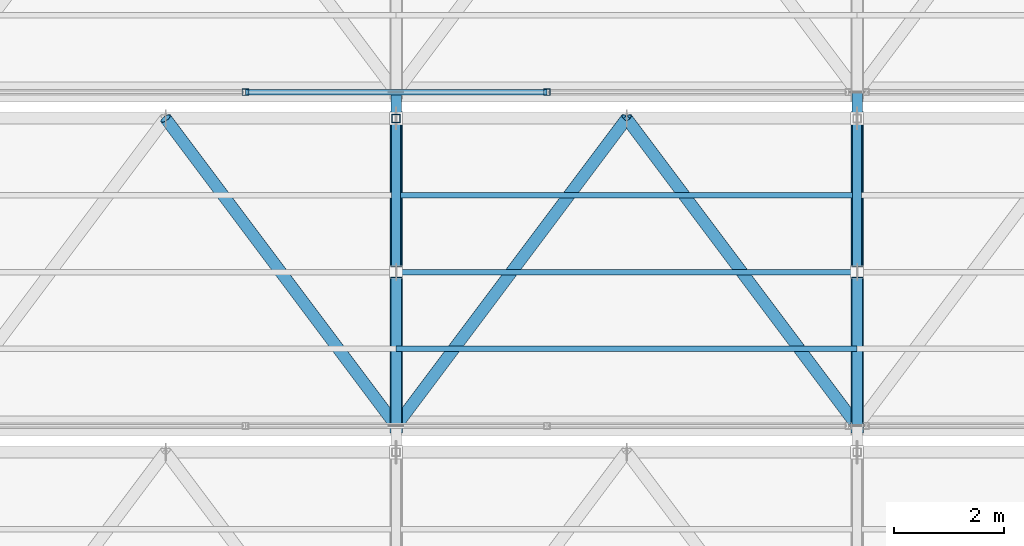
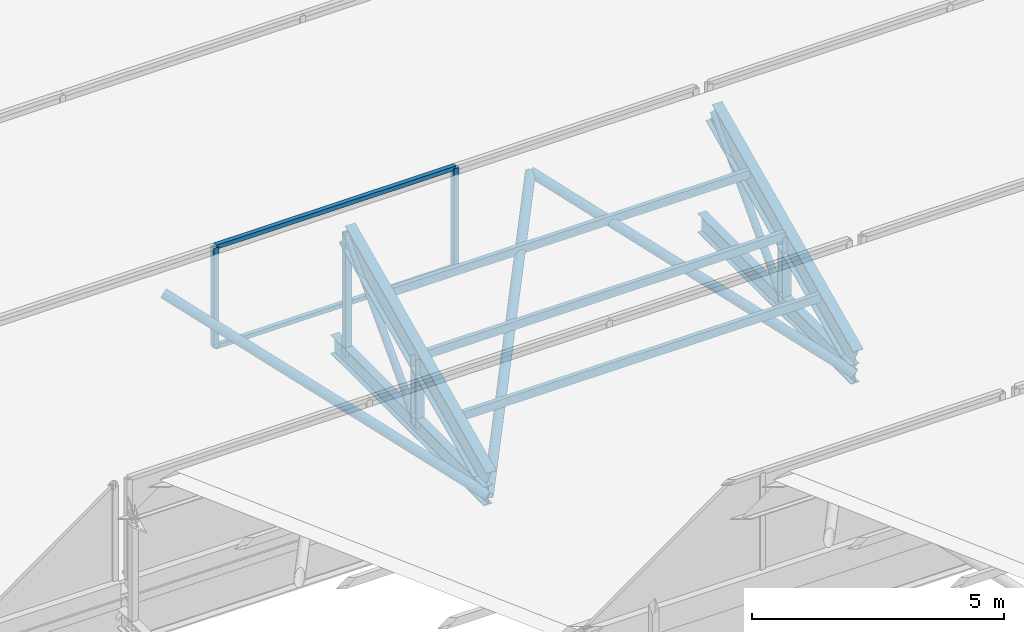
# One storey, part 119 of 217: 19 members, 1 element without a shape of its own.
"""IFC4 building model written with IfcOpenShell, lengths in metres."""

from ifc_helpers import new_model, si_unit, direction, frame, origin, origin_2d, place, context, subcontext, project, spatial, hollow_rectangle, hollow_circle, i_section, extrude, material, material_profile, profile_set, type_object, element, aggregate, save


model = new_model("IFC4")

# Units and contexts
model_context = context("Model", 3, precision=1e-05, world=origin(), true_north=direction((0.0, 1.0)))
body_context = subcontext(model_context, "Body", "Model", "MODEL_VIEW")
ifc_project = project(units=[si_unit("LENGTHUNIT", "METRE"), si_unit("AREAUNIT", "SQUARE_METRE"), si_unit("VOLUMEUNIT", "CUBIC_METRE"), si_unit("PLANEANGLEUNIT", "RADIAN"), si_unit("MASSUNIT", "GRAM", prefix="KILO")], contexts=[model_context])

# Site, building, storey
site_placement = place(None, origin())
site = spatial("IfcSite", under=ifc_project, at=site_placement, CompositionType="ELEMENT")
building_placement = place(site_placement, origin())
building = spatial("IfcBuilding", under=site, at=building_placement, Name="Zuvorla Pavilion Media Centre", CompositionType="ELEMENT")
storey_placement = place(building_placement, frame((0.0, 0.0, 9.60009765625)))
storey = spatial("IfcBuildingStorey", under=building, at=storey_placement, Name="L02", CompositionType="ELEMENT", Elevation=9.60009765625)

# Curtain wall, members
ifc_material_1 = material(Name="Unitised anodised aluminium and solar glass curtain wall", Category="aluminium")
curtain_wall_type = type_object("IfcCurtainWallType", Name="CW-SYS-88", PredefinedType="USERDEFINED", material=ifc_material_1)
curtain_wall_placement = place(storey_placement, origin())
curtain_wall = element("IfcCurtainWall", 1, at=curtain_wall_placement, inside=storey, type_object=curtain_wall_type, Name="L02 curtain wall CW88 210", ObjectType="CURTAIN WALL", PredefinedType="USERDEFINED")
ifc_material_2 = material(Name="Anodised aluminium 6063-T6", Category="aluminium")
ifc_material_profile_1 = material_profile(ifc_material_2, hollow_rectangle(XDim=0.1201171875, YDim=0.1201171875, WallThickness=0.0048828125, at=origin_2d()), Name="ALU MULL 120x120")
ifc_profile_set_1 = profile_set([ifc_material_profile_1], Name="Anodised aluminium 6063-T6")
member_type_1 = type_object("IfcMemberType", Name="CW-MULL-120", PredefinedType="MULLION", material=ifc_profile_set_1)
member_1_placement = place(storey_placement, frame((106.05322265625, 107.840087890625, 0.0), z_axis=(0.0, 0.0, 1.0), x_axis=(1.0, 0.0, 0.0)))
member_1 = element("IfcMember", 2, at=member_1_placement, type_object=member_type_1, Name="CW88 mullion 2", PredefinedType="MULLION", context=body_context, shape_type="SweptSolid", body=[
    extrude(hollow_rectangle(XDim=0.1201171875, YDim=0.1201171875, WallThickness=0.0048828125, at=origin_2d()), origin(), (0.0, 0.0, 1.0), 2.419921875),
])
member_2_placement = place(storey_placement, frame((111.546630859375, 107.840087890625, 0.0), z_axis=(0.0, 0.0, 1.0), x_axis=(1.0, 0.0, 0.0)))
member_2 = element("IfcMember", 3, at=member_2_placement, type_object=member_type_1, Name="CW88 mullion 3", PredefinedType="MULLION", context=body_context, shape_type="SweptSolid", body=[
    extrude(hollow_rectangle(XDim=0.1201171875, YDim=0.1201171875, WallThickness=0.0048828125, at=origin_2d()), origin(), (0.0, 0.0, 1.0), 2.419921875),
])
ifc_material_profile_2 = material_profile(ifc_material_2, hollow_rectangle(XDim=0.10009765625, YDim=0.10009765625, WallThickness=0.00439453125, at=origin_2d()), Name="ALU TRAN 100x100")
ifc_profile_set_2 = profile_set([ifc_material_profile_2], Name="Anodised aluminium 6063-T6")
member_type_2 = type_object("IfcMemberType", Name="CW-TRAN-100", PredefinedType="USERDEFINED", material=ifc_profile_set_2)
member_3_placement = place(storey_placement, frame((106.05322265625, 107.840087890625, 0.0), z_axis=(1.0, 0.0, 0.0), x_axis=(0.0, 1.0, 0.0)))
member_3 = element("IfcMember", 4, at=member_3_placement, type_object=member_type_2, Name="CW88 transom 2.1", ObjectType="TRANSOM", PredefinedType="USERDEFINED", context=body_context, shape_type="SweptSolid", body=[
    extrude(hollow_rectangle(XDim=0.10009765625, YDim=0.10009765625, WallThickness=0.00439453125, at=origin_2d()), origin(), (0.0, 0.0, 1.0), 5.493408203125),
])
member_4_placement = place(storey_placement, frame((106.05322265625, 107.840087890625, 2.419921875), z_axis=(1.0, 0.0, 0.0), x_axis=(0.0, 1.0, 0.0)))
member_4 = element("IfcMember", 5, at=member_4_placement, type_object=member_type_2, Name="CW88 transom 2.2", ObjectType="TRANSOM", PredefinedType="USERDEFINED", context=body_context, shape_type="SweptSolid", body=[
    extrude(hollow_rectangle(XDim=0.10009765625, YDim=0.10009765625, WallThickness=0.00439453125, at=origin_2d()), origin(), (0.0, 0.0, 1.0), 5.493408203125),
])
aggregate(curtain_wall, [member_1, member_2, member_3, member_4])

# Members
ifc_material_3 = material(Name="Steel S355", Category="steel")
ifc_material_profile_3 = material_profile(ifc_material_3, hollow_circle(Radius=0.084228515625, WallThickness=0.008056640625, at=origin_2d()), Name="CHS 168.3x8")
ifc_profile_set_3 = profile_set([ifc_material_profile_3], Name="Steel S355")
member_type_3 = type_object("IfcMemberType", Name="MEM-BRC-CHS168", PredefinedType="BRACE", material=ifc_profile_set_3)
for number, where, z_axis, x_axis, name in (
    (6, (108.800048828125, 104.56005859375, -0.880126953125), (0.0, 0.68676242614, 0.726881950555), (-1.0, 0.0, 0.0), "L02 diagonal brace TB03 247"),
    (7, (117.199951171875, 104.56005859375, -0.880126953125), (0.0, 0.68676242614, 0.726881950555), (-1.0, 0.0, 0.0), "L02 diagonal brace TB03 252"),
):
    element("IfcMember", number, at=place(storey_placement, frame(where, z_axis=z_axis, x_axis=x_axis)), inside=storey, type_object=member_type_3, Name=name, PredefinedType="BRACE", context=body_context, shape_type="SweptSolid", body=[
        extrude(hollow_circle(Radius=0.084228515625, WallThickness=0.008056640625, at=origin_2d()), origin(), (0.0, 0.0, 1.0), 4.0771484375),
    ])
ifc_material_profile_4 = material_profile(ifc_material_3, hollow_circle(Radius=0.109619140625, WallThickness=0.010009765625, at=origin_2d()), Name="CHS 219.1x10")
ifc_profile_set_4 = profile_set([ifc_material_profile_4], Name="Steel S355")
member_type_4 = type_object("IfcMemberType", Name="MEM-BRC-CHS219", PredefinedType="BRACE", material=ifc_profile_set_4)
for number, where, z_axis, x_axis, name in (
    (8, (104.60009765625, 107.360107421875, 2.08349609375), (0.552511596944, -0.736703540702, -0.389870271191), (0.800008370399, 0.599988839305, 0.0), "L02 diagonal brace TB02 290"),
    (9, (108.800048828125, 101.760009765625, -0.880126953125), (0.552511596944, 0.736703540702, 0.389870271191), (-0.800008370399, 0.599988839305, 0.0), "L02 diagonal brace TB02 295"),
    (10, (113.0, 107.360107421875, 2.08349609375), (0.552511596944, -0.736703540702, -0.389870271191), (0.800008370399, 0.599988839305, 0.0), "L02 diagonal brace TB02 296"),
):
    element("IfcMember", number, at=place(storey_placement, frame(where, z_axis=z_axis, x_axis=x_axis)), inside=storey, type_object=member_type_4, Name=name, PredefinedType="BRACE", context=body_context, shape_type="SweptSolid", body=[
        extrude(hollow_circle(Radius=0.109619140625, WallThickness=0.010009765625, at=origin_2d()), origin(), (0.0, 0.0, 1.0), 7.6015625),
    ])
ifc_material_profile_5 = material_profile(ifc_material_3, i_section(OverallWidth=0.19140625, OverallDepth=0.4599609375, WebThickness=0.010009765625, FlangeThickness=0.01611328125, FilletRadius=0.01025390625, at=origin_2d()), Name="UB 457x191x82")
ifc_profile_set_5 = profile_set([ifc_material_profile_5], Name="Steel S355")
member_type_5 = type_object("IfcMemberType", Name="MEM-CHD-UB457", PredefinedType="CHORD", material=ifc_profile_set_5)
for number, where, z_axis, x_axis, name in (
    (11, (108.800048828125, 101.760009765625, -0.880126953125), (0.0, 1.0, 0.0), (-1.0, 0.0, 0.0), "L02 chord TC03 244"),
    (12, (117.199951171875, 101.760009765625, -0.880126953125), (0.0, 1.0, 0.0), (-1.0, 0.0, 0.0), "L02 chord TC03 249"),
):
    element("IfcMember", number, at=place(storey_placement, frame(where, z_axis=z_axis, x_axis=x_axis)), inside=storey, type_object=member_type_5, Name=name, PredefinedType="CHORD", context=body_context, shape_type="SweptSolid", body=[
        extrude(i_section(OverallWidth=0.19140625, OverallDepth=0.4599609375, WebThickness=0.010009765625, FlangeThickness=0.01611328125, FilletRadius=0.01025390625, at=origin_2d()), origin(), (0.0, 0.0, 1.0), 6.080078125),
    ])
ifc_material_profile_6 = material_profile(ifc_material_3, i_section(OverallWidth=0.22900390625, OverallDepth=0.6123046875, WebThickness=0.011962890625, FlangeThickness=0.01953125, FilletRadius=0.0126953125, at=origin_2d()), Name="UB 610x229x125")
ifc_profile_set_6 = profile_set([ifc_material_profile_6], Name="Steel S355")
member_type_6 = type_object("IfcMemberType", Name="MEM-CHD-UB610", PredefinedType="CHORD", material=ifc_profile_set_6)
for number, where, z_axis, x_axis, name in (
    (13, (108.800048828125, 101.760009765625, -0.5166015625), (0.0, 0.907005731366, 0.421118277053), (-1.0, 0.0, 0.0), "L02 chord TC01 245"),
    (14, (117.199951171875, 101.760009765625, -0.5166015625), (0.0, 0.907005731366, 0.421118277053), (-1.0, 0.0, 0.0), "L02 chord TC01 250"),
):
    element("IfcMember", number, at=place(storey_placement, frame(where, z_axis=z_axis, x_axis=x_axis)), inside=storey, type_object=member_type_6, Name=name, PredefinedType="CHORD", context=body_context, shape_type="SweptSolid", body=[
        extrude(i_section(OverallWidth=0.22900390625, OverallDepth=0.6123046875, WebThickness=0.011962890625, FlangeThickness=0.01953125, FilletRadius=0.0126953125, at=origin_2d()), origin(), (0.0, 0.0, 1.0), 6.17431640625),
    ])
ifc_material_profile_7 = material_profile(ifc_material_3, hollow_rectangle(XDim=0.10009765625, YDim=0.199951171875, WallThickness=0.008056640625, at=origin_2d()), Name="RHS 200x100x8")
ifc_profile_set_7 = profile_set([ifc_material_profile_7], Name="Steel S355")
member_type_7 = type_object("IfcMemberType", Name="MEM-PUR-RHS200", PredefinedType="PURLIN", material=ifc_profile_set_7)
for number, where, z_axis, x_axis, name in (
    (15, (108.800048828125, 103.159912109375, 0.133544921875), (1.0, 0.0, 0.0), (0.0, 1.0, 0.0), "L02 purlin PR01 297"),
    (16, (108.800048828125, 104.56005859375, 0.783447265625), (1.0, 0.0, 0.0), (0.0, 1.0, 0.0), "L02 purlin PR01 298"),
    (17, (108.800048828125, 105.9599609375, 1.43359375), (1.0, 0.0, 0.0), (0.0, 1.0, 0.0), "L02 purlin PR01 299"),
):
    element("IfcMember", number, at=place(storey_placement, frame(where, z_axis=z_axis, x_axis=x_axis)), inside=storey, type_object=member_type_7, Name=name, PredefinedType="PURLIN", context=body_context, shape_type="SweptSolid", body=[
        extrude(hollow_rectangle(XDim=0.10009765625, YDim=0.199951171875, WallThickness=0.008056640625, at=origin_2d()), origin(), (0.0, 0.0, 1.0), 8.39990234375),
    ])
ifc_material_profile_8 = material_profile(ifc_material_3, hollow_rectangle(XDim=0.14990234375, YDim=0.14990234375, WallThickness=0.008056640625, at=origin_2d()), Name="SHS 150x150x8")
ifc_profile_set_8 = profile_set([ifc_material_profile_8], Name="Steel S355")
member_type_8 = type_object("IfcMemberType", Name="MEM-STR-SHS150", PredefinedType="STRUT", material=ifc_profile_set_8)
member_5_placement = place(storey_placement, frame((108.800048828125, 107.360107421875, -0.880126953125), z_axis=(0.0, 0.0, 1.0), x_axis=(1.0, 0.0, 0.0)))
element("IfcMember", 18, at=member_5_placement, inside=storey, type_object=member_type_8, Name="L02 vertical strut TS01 246", PredefinedType="STRUT", context=body_context, shape_type="SweptSolid", body=[
    extrude(hollow_rectangle(XDim=0.14990234375, YDim=0.14990234375, WallThickness=0.008056640625, at=origin_2d()), origin(), (0.0, 0.0, 1.0), 2.963623046875),
])
ifc_material_profile_9 = material_profile(ifc_material_3, i_section(OverallWidth=0.205810546875, OverallDepth=0.209716796875, WebThickness=0.009521484375, FlangeThickness=0.01416015625, FilletRadius=0.01025390625, at=origin_2d()), Name="UC 203x203x60")
ifc_profile_set_9 = profile_set([ifc_material_profile_9], Name="Steel S355")
member_type_9 = type_object("IfcMemberType", Name="MEM-STR-UC203", PredefinedType="STRUT", material=ifc_profile_set_9)
for number, where, z_axis, x_axis, name in (
    (19, (108.800048828125, 104.56005859375, -0.880126953125), (0.0, 0.0, 1.0), (1.0, 0.0, 0.0), "L02 vertical strut TS02 248"),
    (20, (117.199951171875, 104.56005859375, -0.880126953125), (0.0, 0.0, 1.0), (1.0, 0.0, 0.0), "L02 vertical strut TS02 253"),
):
    element("IfcMember", number, at=place(storey_placement, frame(where, z_axis=z_axis, x_axis=x_axis)), inside=storey, type_object=member_type_9, Name=name, PredefinedType="STRUT", context=body_context, shape_type="SweptSolid", body=[
        extrude(i_section(OverallWidth=0.205810546875, OverallDepth=0.209716796875, WebThickness=0.009521484375, FlangeThickness=0.01416015625, FilletRadius=0.01025390625, at=origin_2d()), origin(), (0.0, 0.0, 1.0), 1.66357421875),
    ])

save(model, "model.ifc")
